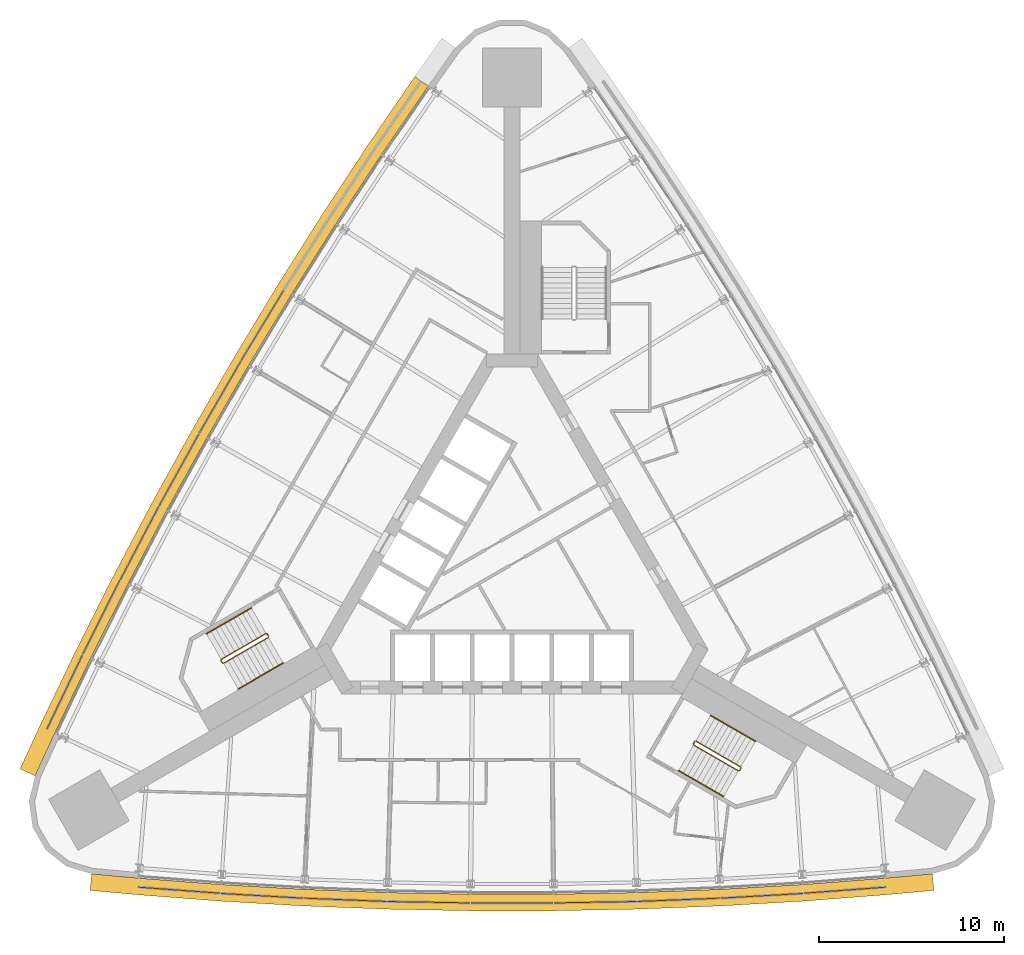
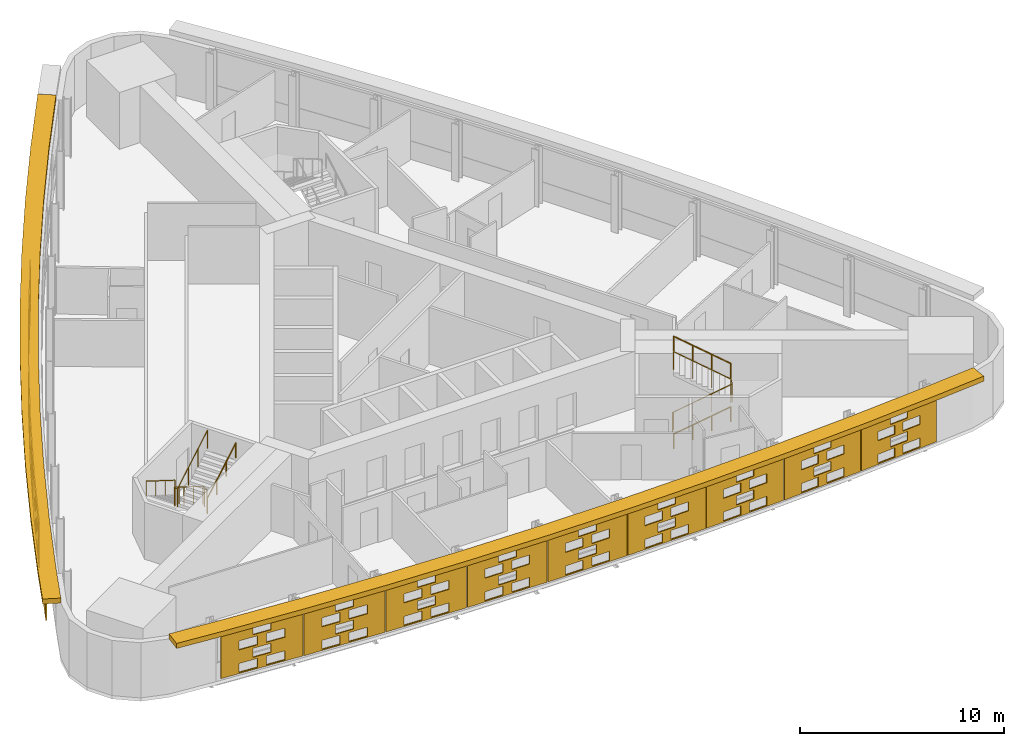
# One storey, part 13 of 14: 17 shading devices, 6 railings.
"""IFC4 building model written with IfcOpenShell, lengths in metres."""

from ifc_helpers import new_model, si_unit, direction, frame, origin, origin_2d, place, context, subcontext, project, spatial, polyline, circle, outline, extrude, material, material_profile, profile_set, type_object, element, save


model = new_model("IFC4")

# Units and contexts
model_context = context("Model", 3, precision=1e-05, world=origin(), true_north=direction((0.0, 1.0)))
body_context = subcontext(model_context, "Body", "Model", "MODEL_VIEW")
ifc_project = project(units=[si_unit("LENGTHUNIT", "METRE"), si_unit("AREAUNIT", "SQUARE_METRE"), si_unit("VOLUMEUNIT", "CUBIC_METRE"), si_unit("PLANEANGLEUNIT", "RADIAN"), si_unit("MASSUNIT", "GRAM", prefix="KILO")], contexts=[model_context])

# Site, building, storey
site_placement = place(None, origin())
site = spatial("IfcSite", under=ifc_project, at=site_placement, CompositionType="ELEMENT")
building_placement = place(site_placement, origin())
building = spatial("IfcBuilding", under=site, at=building_placement, Name="Noor Cloister Tower", CompositionType="ELEMENT")
storey_placement = place(building_placement, frame((0.0, 0.0, 72.60009765625)))
storey = spatial("IfcBuildingStorey", under=building, at=storey_placement, Name="L18", CompositionType="ELEMENT", Elevation=72.60009765625)

# Shading devices
ifc_material_1 = material(Name="Limestone", Category="masonry")
ifc_material_profile = material_profile(ifc_material_1, outline(polyline([(-2.22998046875, -1.35009765625), (2.22998046875, -1.35009765625), (2.22998046875, 1.35009765625), (-2.22998046875, 1.35009765625), (-2.22998046875, -1.35009765625)]), holes=[polyline([(-1.25, -1.282470703125), (-0.25, -1.282470703125), (-0.25, -0.742431640625), (-1.25, -0.742431640625), (-1.25, -1.282470703125)]), polyline([(0.25, -1.282470703125), (1.25, -1.282470703125), (1.25, -0.742431640625), (0.25, -0.742431640625), (0.25, -1.282470703125)]), polyline([(-0.5, -0.607421875), (0.5, -0.607421875), (0.5, -0.0673828125), (-0.5, -0.0673828125), (-0.5, -0.607421875)]), polyline([(-1.25, 0.0673828125), (-0.25, 0.0673828125), (-0.25, 0.607421875), (-1.25, 0.607421875), (-1.25, 0.0673828125)]), polyline([(0.25, 0.0673828125), (1.25, 0.0673828125), (1.25, 0.607421875), (0.25, 0.607421875), (0.25, 0.0673828125)]), polyline([(-0.5, 0.742431640625), (0.5, 0.742431640625), (0.5, 1.282470703125), (-0.5, 1.282470703125), (-0.5, 0.742431640625)])]), Name="Woven screen 28 percent open")
ifc_profile_set = profile_set([ifc_material_profile], Name="Limestone")
shading_device_type_1 = type_object("IfcShadingDeviceType", Name="SCREEN woven limestone 28 percent open", PredefinedType="USERDEFINED", material=ifc_profile_set)
shading_device_1_placement = place(storey_placement, frame((-13.48583984375, 12.99169921875, 1.849853515625), z_axis=(-0.855690023312, 0.517488728384, 0.0), x_axis=(-0.517488728384, -0.855690023312, 0.0)))
element("IfcShadingDevice", 1, at=shading_device_1_placement, inside=storey, type_object=shading_device_type_1, Name="SCREEN L18 4", ObjectType="SCREEN", PredefinedType="USERDEFINED", context=body_context, shape_type="SweptSolid", body=[
    extrude(outline(polyline([(-2.22998046875, -1.35009765625), (2.22998046875, -1.35009765625), (2.22998046875, 1.35009765625), (-2.22998046875, 1.35009765625), (-2.22998046875, -1.35009765625)]), holes=[polyline([(-1.25, -1.282470703125), (-0.25, -1.282470703125), (-0.25, -0.742431640625), (-1.25, -0.742431640625), (-1.25, -1.282470703125)]), polyline([(0.25, -1.282470703125), (1.25, -1.282470703125), (1.25, -0.742431640625), (0.25, -0.742431640625), (0.25, -1.282470703125)]), polyline([(-0.5, -0.607421875), (0.5, -0.607421875), (0.5, -0.0673828125), (-0.5, -0.0673828125), (-0.5, -0.607421875)]), polyline([(-1.25, 0.0673828125), (-0.25, 0.0673828125), (-0.25, 0.607421875), (-1.25, 0.607421875), (-1.25, 0.0673828125)]), polyline([(0.25, 0.0673828125), (1.25, 0.0673828125), (1.25, 0.607421875), (0.25, 0.607421875), (0.25, 0.0673828125)]), polyline([(-0.5, 0.742431640625), (0.5, 0.742431640625), (0.5, 1.282470703125), (-0.5, 1.282470703125), (-0.5, 0.742431640625)])]), origin(), (0.0, 0.0, 1.0), 0.059814453125),
])
for number, where, z_axis, x_axis, name in (
    (2, (-15.777587890625, 9.109130859375, 1.849853515625), (-0.865982457891, 0.500074377092, 0.0), (-0.500074377092, -0.865982457891, 0.0), "SCREEN L18 5"),
    (3, (-17.993896484375, 5.18310546875, 1.849853515625), (-0.874923997532, 0.484260259099, 0.0), (-0.484260259099, -0.874923997532, 0.0), "SCREEN L18 6"),
):
    element("IfcShadingDevice", number, at=place(storey_placement, frame(where, z_axis=z_axis, x_axis=x_axis)), inside=storey, type_object=shading_device_type_1, Name=name, ObjectType="SCREEN", PredefinedType="USERDEFINED", context=body_context, shape_type="SweptSolid", body=[
        extrude(outline(polyline([(-2.22998046875, -1.35009765625), (2.22998046875, -1.35009765625), (2.22998046875, 1.35009765625), (-2.22998046875, 1.35009765625), (-2.22998046875, -1.35009765625)]), holes=[polyline([(-1.25, -1.282470703125), (-0.25, -1.282470703125), (-0.25, -0.742431640625), (-1.25, -0.742431640625), (-1.25, -1.282470703125)]), polyline([(0.25, -1.282470703125), (1.25, -1.282470703125), (1.25, -0.742431640625), (0.25, -0.742431640625), (0.25, -1.282470703125)]), polyline([(-0.5, -0.607421875), (0.5, -0.607421875), (0.5, -0.0673828125), (-0.5, -0.0673828125), (-0.5, -0.607421875)]), polyline([(-1.25, 0.0673828125), (-0.25, 0.0673828125), (-0.25, 0.607421875), (-1.25, 0.607421875), (-1.25, 0.0673828125)]), polyline([(0.25, 0.0673828125), (1.25, 0.0673828125), (1.25, 0.607421875), (0.25, 0.607421875), (0.25, 0.0673828125)]), polyline([(-0.5, 0.742431640625), (0.5, 0.742431640625), (0.5, 1.282470703125), (-0.5, 1.282470703125), (-0.5, 0.742431640625)])]), origin(), (0.0, 0.0, 1.0), 0.06005859375),
    ])
shading_device_2_placement = place(storey_placement, frame((-20.13427734375, 1.21533203125, 1.849853515625), z_axis=(-0.885271944608, 0.465073740486, 0.0), x_axis=(-0.465073740486, -0.885271944608, 0.0)))
element("IfcShadingDevice", 4, at=shading_device_2_placement, inside=storey, type_object=shading_device_type_1, Name="SCREEN L18 7", ObjectType="SCREEN", PredefinedType="USERDEFINED", context=body_context, shape_type="SweptSolid", body=[
    extrude(outline(polyline([(-2.22998046875, -1.35009765625), (2.22998046875, -1.35009765625), (2.22998046875, 1.35009765625), (-2.22998046875, 1.35009765625), (-2.22998046875, -1.35009765625)]), holes=[polyline([(-1.25, -1.282470703125), (-0.25, -1.282470703125), (-0.25, -0.742431640625), (-1.25, -0.742431640625), (-1.25, -1.282470703125)]), polyline([(0.25, -1.282470703125), (1.25, -1.282470703125), (1.25, -0.742431640625), (0.25, -0.742431640625), (0.25, -1.282470703125)]), polyline([(-0.5, -0.607421875), (0.5, -0.607421875), (0.5, -0.0673828125), (-0.5, -0.0673828125), (-0.5, -0.607421875)]), polyline([(-1.25, 0.0673828125), (-0.25, 0.0673828125), (-0.25, 0.607421875), (-1.25, 0.607421875), (-1.25, 0.0673828125)]), polyline([(0.25, 0.0673828125), (1.25, 0.0673828125), (1.25, 0.607421875), (0.25, 0.607421875), (0.25, 0.0673828125)]), polyline([(-0.5, 0.742431640625), (0.5, 0.742431640625), (0.5, 1.282470703125), (-0.5, 1.282470703125), (-0.5, 0.742431640625)])]), origin(), (0.0, 0.0, 1.0), 0.059814453125),
])
shading_device_3_placement = place(storey_placement, frame((-22.197509765625, -2.793212890625, 1.849853515625), z_axis=(-0.894427191, 0.4472135955, 0.0), x_axis=(-0.4472135955, -0.894427191, 0.0)))
element("IfcShadingDevice", 5, at=shading_device_3_placement, inside=storey, type_object=shading_device_type_1, Name="SCREEN L18 8", ObjectType="SCREEN", PredefinedType="USERDEFINED", context=body_context, shape_type="SweptSolid", body=[
    extrude(outline(polyline([(-2.22998046875, -1.35009765625), (2.22998046875, -1.35009765625), (2.22998046875, 1.35009765625), (-2.22998046875, 1.35009765625), (-2.22998046875, -1.35009765625)]), holes=[polyline([(-1.25, -1.282470703125), (-0.25, -1.282470703125), (-0.25, -0.742431640625), (-1.25, -0.742431640625), (-1.25, -1.282470703125)]), polyline([(0.25, -1.282470703125), (1.25, -1.282470703125), (1.25, -0.742431640625), (0.25, -0.742431640625), (0.25, -1.282470703125)]), polyline([(-0.5, -0.607421875), (0.5, -0.607421875), (0.5, -0.0673828125), (-0.5, -0.0673828125), (-0.5, -0.607421875)]), polyline([(-1.25, 0.0673828125), (-0.25, 0.0673828125), (-0.25, 0.607421875), (-1.25, 0.607421875), (-1.25, 0.0673828125)]), polyline([(0.25, 0.0673828125), (1.25, 0.0673828125), (1.25, 0.607421875), (0.25, 0.607421875), (0.25, 0.0673828125)]), polyline([(-0.5, 0.742431640625), (0.5, 0.742431640625), (0.5, 1.282470703125), (-0.5, 1.282470703125), (-0.5, 0.742431640625)])]), origin(), (0.0, 0.0, 1.0), 0.06005859375),
])
shading_device_4_placement = place(storey_placement, frame((-24.183349609375, -6.8408203125, 1.849853515625), z_axis=(-0.901650348454, 0.432465777991, 0.0), x_axis=(-0.432465777991, -0.901650348454, 0.0)))
element("IfcShadingDevice", 6, at=shading_device_4_placement, inside=storey, type_object=shading_device_type_1, Name="SCREEN L18 9", ObjectType="SCREEN", PredefinedType="USERDEFINED", context=body_context, shape_type="SweptSolid", body=[
    extrude(outline(polyline([(-2.22998046875, -1.35009765625), (2.22998046875, -1.35009765625), (2.22998046875, 1.35009765625), (-2.22998046875, 1.35009765625), (-2.22998046875, -1.35009765625)]), holes=[polyline([(-1.25, -1.282470703125), (-0.25, -1.282470703125), (-0.25, -0.742431640625), (-1.25, -0.742431640625), (-1.25, -1.282470703125)]), polyline([(0.25, -1.282470703125), (1.25, -1.282470703125), (1.25, -0.742431640625), (0.25, -0.742431640625), (0.25, -1.282470703125)]), polyline([(-0.5, -0.607421875), (0.5, -0.607421875), (0.5, -0.0673828125), (-0.5, -0.0673828125), (-0.5, -0.607421875)]), polyline([(-1.25, 0.0673828125), (-0.25, 0.0673828125), (-0.25, 0.607421875), (-1.25, 0.607421875), (-1.25, 0.0673828125)]), polyline([(0.25, 0.0673828125), (1.25, 0.0673828125), (1.25, 0.607421875), (0.25, 0.607421875), (0.25, 0.0673828125)]), polyline([(-0.5, 0.742431640625), (0.5, 0.742431640625), (0.5, 1.282470703125), (-0.5, 1.282470703125), (-0.5, 0.742431640625)])]), origin(), (0.0, 0.0, 1.0), 0.059814453125),
])
shading_device_5_placement = place(storey_placement, frame((-18.01611328125, -17.52294921875, 1.849853515625), z_axis=(-0.073271902152, -0.99731200151, 0.0), x_axis=(0.99731200151, -0.073271902152, 0.0)))
element("IfcShadingDevice", 7, at=shading_device_5_placement, inside=storey, type_object=shading_device_type_1, Name="SCREEN L18 1", ObjectType="SCREEN", PredefinedType="USERDEFINED", context=body_context, shape_type="SweptSolid", body=[
    extrude(outline(polyline([(-2.22998046875, -1.35009765625), (2.22998046875, -1.35009765625), (2.22998046875, 1.35009765625), (-2.22998046875, 1.35009765625), (-2.22998046875, -1.35009765625)]), holes=[polyline([(-1.25, -1.282470703125), (-0.25, -1.282470703125), (-0.25, -0.742431640625), (-1.25, -0.742431640625), (-1.25, -1.282470703125)]), polyline([(0.25, -1.282470703125), (1.25, -1.282470703125), (1.25, -0.742431640625), (0.25, -0.742431640625), (0.25, -1.282470703125)]), polyline([(-0.5, -0.607421875), (0.5, -0.607421875), (0.5, -0.0673828125), (-0.5, -0.0673828125), (-0.5, -0.607421875)]), polyline([(-1.25, 0.0673828125), (-0.25, 0.0673828125), (-0.25, 0.607421875), (-1.25, 0.607421875), (-1.25, 0.0673828125)]), polyline([(0.25, 0.0673828125), (1.25, 0.0673828125), (1.25, 0.607421875), (0.25, 0.607421875), (0.25, 0.0673828125)]), polyline([(-0.5, 0.742431640625), (0.5, 0.742431640625), (0.5, 1.282470703125), (-0.5, 1.282470703125), (-0.5, 0.742431640625)])]), origin(), (0.0, 0.0, 1.0), 0.06005859375),
])
for number, where, z_axis, x_axis, name in (
    (8, (-13.517822265625, -17.8271484375, 1.849853515625), (-0.057049790539, -0.998371334424, 0.0), (0.998371334424, -0.057049790539, 0.0), "SCREEN L18 2"),
    (9, (-9.0146484375, -18.04443359375, 1.849853515625), (-0.040782369514, -0.999168053101, 0.0), (0.999168053101, -0.040782369514, 0.0), "SCREEN L18 3"),
):
    element("IfcShadingDevice", number, at=place(storey_placement, frame(where, z_axis=z_axis, x_axis=x_axis)), inside=storey, type_object=shading_device_type_1, Name=name, ObjectType="SCREEN", PredefinedType="USERDEFINED", context=body_context, shape_type="SweptSolid", body=[
        extrude(outline(polyline([(-2.22998046875, -1.35009765625), (2.22998046875, -1.35009765625), (2.22998046875, 1.35009765625), (-2.22998046875, 1.35009765625), (-2.22998046875, -1.35009765625)]), holes=[polyline([(-1.25, -1.282470703125), (-0.25, -1.282470703125), (-0.25, -0.742431640625), (-1.25, -0.742431640625), (-1.25, -1.282470703125)]), polyline([(0.25, -1.282470703125), (1.25, -1.282470703125), (1.25, -0.742431640625), (0.25, -0.742431640625), (0.25, -1.282470703125)]), polyline([(-0.5, -0.607421875), (0.5, -0.607421875), (0.5, -0.0673828125), (-0.5, -0.0673828125), (-0.5, -0.607421875)]), polyline([(-1.25, 0.0673828125), (-0.25, 0.0673828125), (-0.25, 0.607421875), (-1.25, 0.607421875), (-1.25, 0.0673828125)]), polyline([(0.25, 0.0673828125), (1.25, 0.0673828125), (1.25, 0.607421875), (0.25, 0.607421875), (0.25, 0.0673828125)]), polyline([(-0.5, 0.742431640625), (0.5, 0.742431640625), (0.5, 1.282470703125), (-0.5, 1.282470703125), (-0.5, 0.742431640625)])]), origin(), (0.0, 0.0, 1.0), 0.059814453125),
    ])
for number, where, z_axis, x_axis, name in (
    (10, (-4.50830078125, -18.1748046875, 1.849853515625), (-0.016258013492, -0.999867829764, 0.0), (0.999867829764, -0.016258013492, 0.0), "SCREEN L18 4"),
    (11, (0.0, -18.21826171875, 1.849853515625), (0.0, -1.0, 0.0), (1.0, 0.0, 0.0), "SCREEN L18 5"),
    (12, (4.50830078125, -18.1748046875, 1.849853515625), (0.016258013492, -0.999867829764, 0.0), (0.999867829764, 0.016258013492, 0.0), "SCREEN L18 6"),
):
    element("IfcShadingDevice", number, at=place(storey_placement, frame(where, z_axis=z_axis, x_axis=x_axis)), inside=storey, type_object=shading_device_type_1, Name=name, ObjectType="SCREEN", PredefinedType="USERDEFINED", context=body_context, shape_type="SweptSolid", body=[
        extrude(outline(polyline([(-2.22998046875, -1.35009765625), (2.22998046875, -1.35009765625), (2.22998046875, 1.35009765625), (-2.22998046875, 1.35009765625), (-2.22998046875, -1.35009765625)]), holes=[polyline([(-1.25, -1.282470703125), (-0.25, -1.282470703125), (-0.25, -0.742431640625), (-1.25, -0.742431640625), (-1.25, -1.282470703125)]), polyline([(0.25, -1.282470703125), (1.25, -1.282470703125), (1.25, -0.742431640625), (0.25, -0.742431640625), (0.25, -1.282470703125)]), polyline([(-0.5, -0.607421875), (0.5, -0.607421875), (0.5, -0.0673828125), (-0.5, -0.0673828125), (-0.5, -0.607421875)]), polyline([(-1.25, 0.0673828125), (-0.25, 0.0673828125), (-0.25, 0.607421875), (-1.25, 0.607421875), (-1.25, 0.0673828125)]), polyline([(0.25, 0.0673828125), (1.25, 0.0673828125), (1.25, 0.607421875), (0.25, 0.607421875), (0.25, 0.0673828125)]), polyline([(-0.5, 0.742431640625), (0.5, 0.742431640625), (0.5, 1.282470703125), (-0.5, 1.282470703125), (-0.5, 0.742431640625)])]), origin(), (0.0, 0.0, 1.0), 0.06005859375),
    ])
for number, where, z_axis, x_axis, name in (
    (13, (9.0146484375, -18.04443359375, 1.849853515625), (0.040782369514, -0.999168053101, 0.0), (0.999168053101, 0.040782369514, 0.0), "SCREEN L18 7"),
    (14, (13.517822265625, -17.8271484375, 1.849853515625), (0.057049790539, -0.998371334424, 0.0), (0.998371334424, 0.057049790539, 0.0), "SCREEN L18 8"),
):
    element("IfcShadingDevice", number, at=place(storey_placement, frame(where, z_axis=z_axis, x_axis=x_axis)), inside=storey, type_object=shading_device_type_1, Name=name, ObjectType="SCREEN", PredefinedType="USERDEFINED", context=body_context, shape_type="SweptSolid", body=[
        extrude(outline(polyline([(-2.22998046875, -1.35009765625), (2.22998046875, -1.35009765625), (2.22998046875, 1.35009765625), (-2.22998046875, 1.35009765625), (-2.22998046875, -1.35009765625)]), holes=[polyline([(-1.25, -1.282470703125), (-0.25, -1.282470703125), (-0.25, -0.742431640625), (-1.25, -0.742431640625), (-1.25, -1.282470703125)]), polyline([(0.25, -1.282470703125), (1.25, -1.282470703125), (1.25, -0.742431640625), (0.25, -0.742431640625), (0.25, -1.282470703125)]), polyline([(-0.5, -0.607421875), (0.5, -0.607421875), (0.5, -0.0673828125), (-0.5, -0.0673828125), (-0.5, -0.607421875)]), polyline([(-1.25, 0.0673828125), (-0.25, 0.0673828125), (-0.25, 0.607421875), (-1.25, 0.607421875), (-1.25, 0.0673828125)]), polyline([(0.25, 0.0673828125), (1.25, 0.0673828125), (1.25, 0.607421875), (0.25, 0.607421875), (0.25, 0.0673828125)]), polyline([(-0.5, 0.742431640625), (0.5, 0.742431640625), (0.5, 1.282470703125), (-0.5, 1.282470703125), (-0.5, 0.742431640625)])]), origin(), (0.0, 0.0, 1.0), 0.059814453125),
    ])
shading_device_6_placement = place(storey_placement, frame((18.01611328125, -17.52294921875, 1.849853515625), z_axis=(0.073271902152, -0.99731200151, 0.0), x_axis=(0.99731200151, 0.073271902152, 0.0)))
element("IfcShadingDevice", 15, at=shading_device_6_placement, inside=storey, type_object=shading_device_type_1, Name="SCREEN L18 9", ObjectType="SCREEN", PredefinedType="USERDEFINED", context=body_context, shape_type="SweptSolid", body=[
    extrude(outline(polyline([(-2.22998046875, -1.35009765625), (2.22998046875, -1.35009765625), (2.22998046875, 1.35009765625), (-2.22998046875, 1.35009765625), (-2.22998046875, -1.35009765625)]), holes=[polyline([(-1.25, -1.282470703125), (-0.25, -1.282470703125), (-0.25, -0.742431640625), (-1.25, -0.742431640625), (-1.25, -1.282470703125)]), polyline([(0.25, -1.282470703125), (1.25, -1.282470703125), (1.25, -0.742431640625), (0.25, -0.742431640625), (0.25, -1.282470703125)]), polyline([(-0.5, -0.607421875), (0.5, -0.607421875), (0.5, -0.0673828125), (-0.5, -0.0673828125), (-0.5, -0.607421875)]), polyline([(-1.25, 0.0673828125), (-0.25, 0.0673828125), (-0.25, 0.607421875), (-1.25, 0.607421875), (-1.25, 0.0673828125)]), polyline([(0.25, 0.0673828125), (1.25, 0.0673828125), (1.25, 0.607421875), (0.25, 0.607421875), (0.25, 0.0673828125)]), polyline([(-0.5, 0.742431640625), (0.5, 0.742431640625), (0.5, 1.282470703125), (-0.5, 1.282470703125), (-0.5, 0.742431640625)])]), origin(), (0.0, 0.0, 1.0), 0.06005859375),
])
ifc_material_2 = material(Name="Limestone", Category="masonry")
shading_device_type_2 = type_object("IfcShadingDeviceType", Name="SUNSHADE limestone band 900", PredefinedType="USERDEFINED", material=ifc_material_2)
shading_device_7_placement = place(storey_placement, frame((0.0, 0.0, 3.2998046875)))
element("IfcShadingDevice", 16, at=shading_device_7_placement, inside=storey, type_object=shading_device_type_2, Name="SUNSHADE L18 1", ObjectType="SUNSHADE", PredefinedType="USERDEFINED", context=body_context, shape_type="SweptSolid", body=[
    extrude(outline(polyline([(-5.2666015625, 26.47412109375), (-7.815185546875, 22.7548828125), (-10.29638671875, 18.97998046875), (-12.704345703125, 15.157958984375), (-15.037841796875, 11.290283203125), (-17.296630859375, 7.378173828125), (-19.479248046875, 3.423095703125), (-21.58544921875, -0.572998046875), (-23.614013671875, -4.609375), (-25.5634765625, -8.68212890625), (-26.626708984375, -10.992431640625), (-25.809326171875, -11.36865234375), (-24.748779296875, -9.064697265625), (-22.805908203125, -5.005615234375), (-20.78515625, -0.985107421875), (-18.687255859375, 2.995849609375), (-16.5126953125, 6.935546875), (-14.262939453125, 10.832763671875), (-11.938232421875, 14.685546875), (-9.53955078125, 18.492919921875), (-7.06787109375, 22.25341796875), (-4.524169921875, 25.96533203125), (-5.2666015625, 26.47412109375)])), origin(), (0.0, 0.0, 1.0), 0.300048828125),
])
shading_device_8_placement = place(storey_placement, frame((0.0, 0.0, 3.2998046875)))
element("IfcShadingDevice", 17, at=shading_device_8_placement, inside=storey, type_object=shading_device_type_2, Name="SUNSHADE L18 2", ObjectType="SUNSHADE", PredefinedType="USERDEFINED", context=body_context, shape_type="SweptSolid", body=[
    extrude(outline(polyline([(-22.833251953125, -17.563232421875), (-20.30078125, -17.797607421875), (-15.798828125, -18.145751953125), (-11.2890625, -18.406982421875), (-6.775146484375, -18.581298828125), (-2.258544921875, -18.668212890625), (2.258544921875, -18.668212890625), (6.775146484375, -18.581298828125), (11.2890625, -18.406982421875), (15.798828125, -18.145751953125), (20.30078125, -17.797607421875), (22.833251953125, -17.563232421875), (22.750244140625, -16.6669921875), (20.224609375, -16.900634765625), (15.738037109375, -17.24755859375), (11.24560546875, -17.508056640625), (6.7490234375, -17.681640625), (2.25, -17.768310546875), (-2.25, -17.768310546875), (-6.7490234375, -17.681640625), (-11.24560546875, -17.508056640625), (-15.738037109375, -17.24755859375), (-20.224609375, -16.900634765625), (-22.750244140625, -16.6669921875), (-22.833251953125, -17.563232421875)])), origin(), (0.0, 0.0, 1.0), 0.300048828125),
])

# Railings
ifc_material_3 = material(Name="Stainless steel", Category="steel")
railing_type_1 = type_object("IfcRailingType", Name="Stair guard 1100", PredefinedType="GUARDRAIL", material=ifc_material_3)
railing_1_placement = place(storey_placement, frame((-13.241455078125, -3.677734375, 0.0)))
element("IfcRailing", 18, at=railing_1_placement, inside=storey, type_object=railing_type_1, Name="Stair guard ST2 L18", PredefinedType="GUARDRAIL", context=body_context, shape_type="SweptSolid", body=[
    extrude(circle(Radius=0.02392578125, at=origin_2d()), frame((0.0, 0.0, 1.076171875), z_axis=(0.499112439033, -0.866537231285, 0.0), x_axis=(0.866537231285, 0.499112439033, 0.0)), (0.0, 0.0, 1.0), 0.150146484375),
    extrude(circle(Radius=0.02392578125, at=origin_2d()), frame((0.074951171875, -0.130126953125, 1.076171875), z_axis=(-0.544565797804, 0.563119998752, 0.621565731736), x_axis=(-0.718850276695, -0.695164929852, 0.0)), (0.0, 0.0, 1.0), 0.26318359375),
    extrude(circle(Radius=0.02392578125, at=origin_2d()), frame((-0.068359375, 0.01806640625, 1.23974609375), z_axis=(-0.74771821388, -0.431677027627, 0.504551698492), x_axis=(0.49998411664, -0.866034573852, 0.0)), (0.0, 0.0, 1.0), 3.242919921875),
    extrude(circle(Radius=0.02392578125, at=origin_2d()), frame((-2.4931640625, -1.3818359375, 2.8759765625), z_axis=(-0.258736085224, -0.965948051503, 0.0), x_axis=(0.965948051503, -0.258736085224, 0.0)), (0.0, 0.0, 1.0), 0.07080078125),
    extrude(circle(Radius=0.02392578125, at=origin_2d()), frame((-2.511474609375, -1.4501953125, 2.8759765625), z_axis=(0.499816412211, -0.866131372301, 0.0), x_axis=(0.866131372301, 0.499816412211, 0.0)), (0.0, 0.0, 1.0), 0.14990234375),
    extrude(circle(Radius=0.02392578125, at=origin_2d()), frame((-2.4365234375, -1.580078125, 2.8759765625), z_axis=(0.383070988865, -0.102608300589, 0.918002262601), x_axis=(0.258736085224, 0.965948051503, 0.0)), (0.0, 0.0, 1.0), 0.178466796875),
    extrude(circle(Radius=0.02392578125, at=origin_2d()), frame((-2.3681640625, -1.598388671875, 3.03955078125), z_axis=(0.747693913401, 0.431738279637, 0.504535300807), x_axis=(-0.500049511043, 0.865996816683, 0.0)), (0.0, 0.0, 1.0), 3.2431640625),
    extrude(circle(Radius=0.02099609375, at=origin_2d()), origin(), (0.0, 0.0, 1.0), 1.052001953125),
    extrude(circle(Radius=0.02099609375, at=origin_2d()), frame((0.074951171875, -0.130126953125, 0.0)), (0.0, 0.0, 1.0), 1.052001953125),
    extrude(circle(Radius=0.02099609375, at=origin_2d()), frame((-0.068359375, 0.01806640625, 0.16357421875)), (0.0, 0.0, 1.0), 1.052001953125),
    extrude(circle(Radius=0.02099609375, at=origin_2d()), frame((-0.876708984375, -0.448486328125, 0.708984375)), (0.0, 0.0, 1.0), 1.052001953125),
    extrude(circle(Radius=0.02099609375, at=origin_2d()), frame((-1.684814453125, -0.915283203125, 1.25439453125)), (0.0, 0.0, 1.0), 1.052001953125),
    extrude(circle(Radius=0.02099609375, at=origin_2d()), frame((-2.4931640625, -1.3818359375, 1.7998046875)), (0.0, 0.0, 1.0), 1.052001953125),
    extrude(circle(Radius=0.02099609375, at=origin_2d()), frame((-2.511474609375, -1.4501953125, 1.7998046875)), (0.0, 0.0, 1.0), 1.052001953125),
    extrude(circle(Radius=0.02099609375, at=origin_2d()), frame((-2.4365234375, -1.580078125, 1.7998046875)), (0.0, 0.0, 1.0), 1.052001953125),
    extrude(circle(Radius=0.02099609375, at=origin_2d()), frame((-2.3681640625, -1.598388671875, 1.963623046875)), (0.0, 0.0, 1.0), 1.052001953125),
    extrude(circle(Radius=0.02099609375, at=origin_2d()), frame((-1.559814453125, -1.131591796875, 2.509033203125)), (0.0, 0.0, 1.0), 1.052001953125),
    extrude(circle(Radius=0.02099609375, at=origin_2d()), frame((-0.751708984375, -0.6650390625, 3.054443359375)), (0.0, 0.0, 1.0), 1.052001953125),
    extrude(circle(Radius=0.02099609375, at=origin_2d()), frame((0.056640625, -0.1982421875, 3.599853515625)), (0.0, 0.0, 1.0), 1.052001953125),
])
railing_2_placement = place(storey_placement, frame((9.805908203125, -9.628662109375, 0.0)))
element("IfcRailing", 19, at=railing_2_placement, inside=storey, type_object=railing_type_1, Name="Stair guard ST3 L18", PredefinedType="GUARDRAIL", context=body_context, shape_type="SweptSolid", body=[
    extrude(circle(Radius=0.02392578125, at=origin_2d()), frame((0.0, 0.0, 1.076171875), z_axis=(0.499112439033, 0.866537231285, 0.0), x_axis=(-0.866537231285, 0.499112439033, 0.0)), (0.0, 0.0, 1.0), 0.150146484375),
    extrude(circle(Radius=0.02392578125, at=origin_2d()), frame((0.074951171875, 0.130126953125, 1.076171875), z_axis=(-0.215214839654, -0.753251938789, 0.621525614518), x_axis=(0.961523947641, -0.274721127897, 0.0)), (0.0, 0.0, 1.0), 0.26318359375),
    extrude(circle(Radius=0.02392578125, at=origin_2d()), frame((0.018310546875, -0.068115234375, 1.23974609375), z_axis=(0.747693913401, -0.431738279637, 0.504535300807), x_axis=(0.500049511043, 0.865996816683, 0.0)), (0.0, 0.0, 1.0), 3.2431640625),
    extrude(circle(Radius=0.02392578125, at=origin_2d()), frame((2.443115234375, -1.46826171875, 2.8759765625), z_axis=(0.965948051503, 0.258736085224, 0.0), x_axis=(-0.258736085224, 0.965948051503, 0.0)), (0.0, 0.0, 1.0), 0.07080078125),
    extrude(circle(Radius=0.02392578125, at=origin_2d()), frame((2.511474609375, -1.449951171875, 2.8759765625), z_axis=(0.499816412211, 0.866131372301, 0.0), x_axis=(-0.866131372301, 0.499816412211, 0.0)), (0.0, 0.0, 1.0), 0.14990234375),
    extrude(circle(Radius=0.02392578125, at=origin_2d()), frame((2.58642578125, -1.320068359375, 2.8759765625), z_axis=(-0.102608300589, 0.383070988865, 0.918002262601), x_axis=(-0.965948051503, -0.258736085224, 0.0)), (0.0, 0.0, 1.0), 0.178466796875),
    extrude(circle(Radius=0.02392578125, at=origin_2d()), frame((2.568115234375, -1.251708984375, 3.03955078125), z_axis=(-0.74771821388, 0.431677027627, 0.504551698492), x_axis=(-0.49998411664, -0.866034573852, 0.0)), (0.0, 0.0, 1.0), 3.242919921875),
    extrude(circle(Radius=0.02099609375, at=origin_2d()), origin(), (0.0, 0.0, 1.0), 1.052001953125),
    extrude(circle(Radius=0.02099609375, at=origin_2d()), frame((0.074951171875, 0.130126953125, 0.0)), (0.0, 0.0, 1.0), 1.052001953125),
    extrude(circle(Radius=0.02099609375, at=origin_2d()), frame((0.018310546875, -0.068115234375, 0.16357421875)), (0.0, 0.0, 1.0), 1.052001953125),
    extrude(circle(Radius=0.02099609375, at=origin_2d()), frame((0.82666015625, -0.534912109375, 0.708984375)), (0.0, 0.0, 1.0), 1.052001953125),
    extrude(circle(Radius=0.02099609375, at=origin_2d()), frame((1.634765625, -1.00146484375, 1.25439453125)), (0.0, 0.0, 1.0), 1.052001953125),
    extrude(circle(Radius=0.02099609375, at=origin_2d()), frame((2.443115234375, -1.46826171875, 1.7998046875)), (0.0, 0.0, 1.0), 1.052001953125),
    extrude(circle(Radius=0.02099609375, at=origin_2d()), frame((2.511474609375, -1.449951171875, 1.7998046875)), (0.0, 0.0, 1.0), 1.052001953125),
    extrude(circle(Radius=0.02099609375, at=origin_2d()), frame((2.58642578125, -1.320068359375, 1.7998046875)), (0.0, 0.0, 1.0), 1.052001953125),
    extrude(circle(Radius=0.02099609375, at=origin_2d()), frame((2.568115234375, -1.251708984375, 1.963623046875)), (0.0, 0.0, 1.0), 1.052001953125),
    extrude(circle(Radius=0.02099609375, at=origin_2d()), frame((1.759765625, -0.78515625, 2.509033203125)), (0.0, 0.0, 1.0), 1.052001953125),
    extrude(circle(Radius=0.02099609375, at=origin_2d()), frame((0.95166015625, -0.318359375, 3.054443359375)), (0.0, 0.0, 1.0), 1.052001953125),
    extrude(circle(Radius=0.02099609375, at=origin_2d()), frame((0.143310546875, 0.148193359375, 3.599853515625)), (0.0, 0.0, 1.0), 1.052001953125),
])
ifc_material_4 = material(Name="Stainless steel", Category="steel")
railing_type_2 = type_object("IfcRailingType", Name="Stair handrail 900", PredefinedType="HANDRAIL", material=ifc_material_4)
railing_3_placement = place(storey_placement, frame((-14.10986328125, -2.27392578125, 0.16357421875)))
element("IfcRailing", 20, at=railing_3_placement, inside=storey, type_object=railing_type_2, Name="Stair handrail ST2 L18 1", PredefinedType="HANDRAIL", context=body_context, shape_type="SweptSolid", body=[
    extrude(circle(Radius=0.02392578125, at=origin_2d()), frame((0.0, 0.0, 0.8759765625), z_axis=(-0.74771821388, -0.431677027627, 0.504551698492), x_axis=(0.49998411664, -0.866034573852, 0.0)), (0.0, 0.0, 1.0), 3.242919921875),
    extrude(circle(Radius=0.02099609375, at=origin_2d()), origin(), (0.0, 0.0, 1.0), 0.851806640625),
    extrude(circle(Radius=0.02099609375, at=origin_2d()), frame((-0.808349609375, -0.466552734375, 0.54541015625)), (0.0, 0.0, 1.0), 0.851806640625),
    extrude(circle(Radius=0.02099609375, at=origin_2d()), frame((-1.616455078125, -0.933349609375, 1.0908203125)), (0.0, 0.0, 1.0), 0.851806640625),
    extrude(circle(Radius=0.02099609375, at=origin_2d()), frame((-2.4248046875, -1.39990234375, 1.63623046875)), (0.0, 0.0, 1.0), 0.851806640625),
])
railing_4_placement = place(storey_placement, frame((-14.8095703125, -6.66162109375, 1.963623046875)))
element("IfcRailing", 21, at=railing_4_placement, inside=storey, type_object=railing_type_2, Name="Stair handrail ST2 L18 2", PredefinedType="HANDRAIL", context=body_context, shape_type="SweptSolid", body=[
    extrude(circle(Radius=0.02392578125, at=origin_2d()), frame((0.0, 0.0, 0.8759765625), z_axis=(0.74771821388, 0.431677027627, 0.504551698492), x_axis=(-0.49998411664, 0.866034573852, 0.0)), (0.0, 0.0, 1.0), 3.242919921875),
    extrude(circle(Radius=0.02099609375, at=origin_2d()), origin(), (0.0, 0.0, 1.0), 0.851806640625),
    extrude(circle(Radius=0.02099609375, at=origin_2d()), frame((0.808349609375, 0.466552734375, 0.54541015625)), (0.0, 0.0, 1.0), 0.851806640625),
    extrude(circle(Radius=0.02099609375, at=origin_2d()), frame((1.616455078125, 0.933349609375, 1.0908203125)), (0.0, 0.0, 1.0), 0.851806640625),
    extrude(circle(Radius=0.02099609375, at=origin_2d()), frame((2.4248046875, 1.39990234375, 1.63623046875)), (0.0, 0.0, 1.0), 0.851806640625),
])
railing_5_placement = place(storey_placement, frame((9.024169921875, -11.08251953125, 0.16357421875)))
element("IfcRailing", 22, at=railing_5_placement, inside=storey, type_object=railing_type_2, Name="Stair handrail ST3 L18 1", PredefinedType="HANDRAIL", context=body_context, shape_type="SweptSolid", body=[
    extrude(circle(Radius=0.02392578125, at=origin_2d()), frame((0.0, 0.0, 0.8759765625), z_axis=(0.74771821388, -0.431677027627, 0.504551698492), x_axis=(0.49998411664, 0.866034573852, 0.0)), (0.0, 0.0, 1.0), 3.242919921875),
    extrude(circle(Radius=0.02099609375, at=origin_2d()), origin(), (0.0, 0.0, 1.0), 0.851806640625),
    extrude(circle(Radius=0.02099609375, at=origin_2d()), frame((0.808349609375, -0.466552734375, 0.54541015625)), (0.0, 0.0, 1.0), 0.851806640625),
    extrude(circle(Radius=0.02099609375, at=origin_2d()), frame((1.616455078125, -0.933349609375, 1.0908203125)), (0.0, 0.0, 1.0), 0.851806640625),
    extrude(circle(Radius=0.02099609375, at=origin_2d()), frame((2.4248046875, -1.39990234375, 1.63623046875)), (0.0, 0.0, 1.0), 0.851806640625),
])
railing_6_placement = place(storey_placement, frame((13.174072265625, -9.49462890625, 1.963623046875)))
element("IfcRailing", 23, at=railing_6_placement, inside=storey, type_object=railing_type_2, Name="Stair handrail ST3 L18 2", PredefinedType="HANDRAIL", context=body_context, shape_type="SweptSolid", body=[
    extrude(circle(Radius=0.02392578125, at=origin_2d()), frame((0.0, 0.0, 0.8759765625), z_axis=(-0.74771821388, 0.431677027627, 0.504551698492), x_axis=(-0.49998411664, -0.866034573852, 0.0)), (0.0, 0.0, 1.0), 3.242919921875),
    extrude(circle(Radius=0.02099609375, at=origin_2d()), origin(), (0.0, 0.0, 1.0), 0.851806640625),
    extrude(circle(Radius=0.02099609375, at=origin_2d()), frame((-0.808349609375, 0.466552734375, 0.54541015625)), (0.0, 0.0, 1.0), 0.851806640625),
    extrude(circle(Radius=0.02099609375, at=origin_2d()), frame((-1.616455078125, 0.933349609375, 1.0908203125)), (0.0, 0.0, 1.0), 0.851806640625),
    extrude(circle(Radius=0.02099609375, at=origin_2d()), frame((-2.4248046875, 1.39990234375, 1.63623046875)), (0.0, 0.0, 1.0), 0.851806640625),
])

save(model, "model.ifc")
